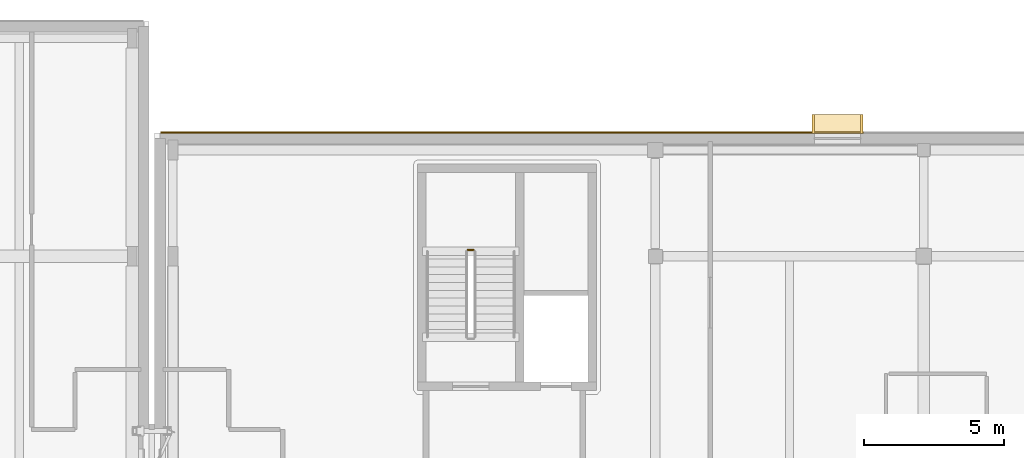
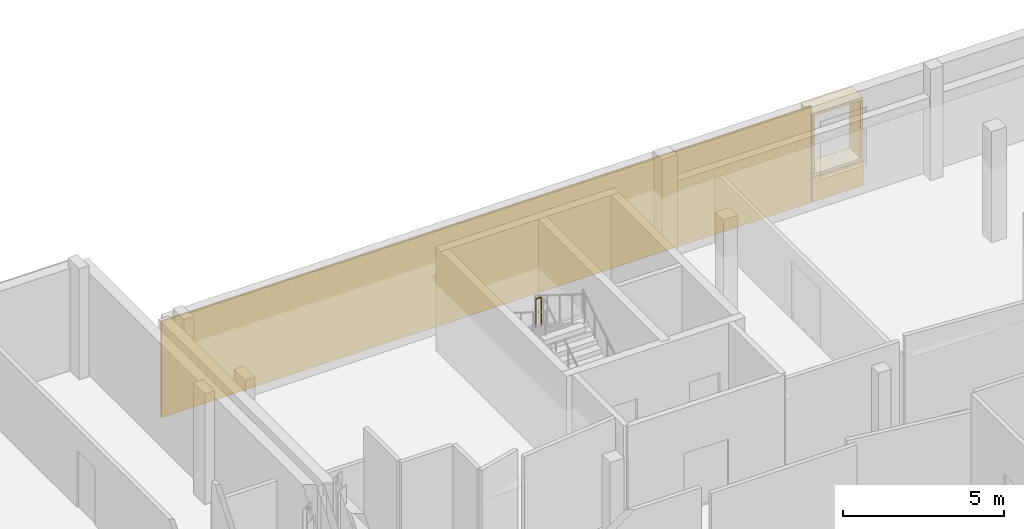
# One storey, part 68 of 73: 6 coverings, 1 railing.
"""IFC4 building model written with IfcOpenShell, lengths in metres."""

from ifc_helpers import new_model, si_unit, direction, frame, origin, origin_2d, place, context, subcontext, project, spatial, rectangle, circle, extrude, material, layer, layer_set, type_object, element, save


model = new_model("IFC4")

# Units and contexts
model_context = context("Model", 3, precision=1e-05, world=origin(), true_north=direction((0.0, 1.0)))
body_context = subcontext(model_context, "Body", "Model", "MODEL_VIEW")
ifc_project = project(units=[si_unit("LENGTHUNIT", "METRE"), si_unit("AREAUNIT", "SQUARE_METRE"), si_unit("VOLUMEUNIT", "CUBIC_METRE"), si_unit("PLANEANGLEUNIT", "RADIAN"), si_unit("MASSUNIT", "GRAM", prefix="KILO")], contexts=[model_context])

# Site, building, storey
site_placement = place(None, origin())
site = spatial("IfcSite", under=ifc_project, at=site_placement, CompositionType="ELEMENT")
building_placement = place(site_placement, origin())
building = spatial("IfcBuilding", under=site, at=building_placement, Name="Mzevani Central Library", CompositionType="ELEMENT")
storey_placement = place(building_placement, frame((0.0, 0.0, 9.60009765625)))
storey = spatial("IfcBuildingStorey", under=building, at=storey_placement, Name="L02", CompositionType="ELEMENT", Elevation=9.60009765625)

# Railing
ifc_material_1 = material(Name="Brushed stainless steel rail", Category="steel")
railing_type = type_object("IfcRailingType", Name="Interior Gallery and Stair Guard 1100", PredefinedType="BALUSTRADE", material=ifc_material_1)
railing_placement = place(storey_placement, frame((57.5, 109.830078125, 2.099853515625)))
element("IfcRailing", 1, at=railing_placement, inside=storey, type_object=railing_type, Name="L02 ST-05 stair guard 2", PredefinedType="BALUSTRADE", context=body_context, shape_type="SweptSolid", body=[
    extrude(circle(Radius=0.02392578125, at=origin_2d()), frame((0.0, 0.0, 1.076171875), z_axis=(-1.0, 0.0, 0.0), x_axis=(0.0, -1.0, 0.0)), (0.0, 0.0, 1.0), 0.199951171875),
    extrude(circle(Radius=0.02099609375, at=origin_2d()), origin(), (0.0, 0.0, 1.0), 1.052001953125),
    extrude(circle(Radius=0.02099609375, at=origin_2d()), frame((-0.199951171875, 0.0, 0.0)), (0.0, 0.0, 1.0), 1.052001953125),
])

# Coverings
ifc_material_2 = material(Name="Limestone ashlar cladding", Category="masonry")
ifc_layer = layer(ifc_material_2, 0.050048828125, Name="Limestone Ashlar Spandrel Cladding")
ifc_layer_set = layer_set([ifc_layer], Name="Limestone ashlar cladding")
covering_type = type_object("IfcCoveringType", Name="Limestone Ashlar Spandrel Cladding", PredefinedType="CLADDING", material=ifc_layer_set)
for number, where, z_axis, x_axis, name in (
    (2, (70.518798828125, 114.337890625, 3.25), (0.0, 0.0, 1.0), (1.0, 0.0, 0.0), "L02 Deep Window Reveal HD (REV4-0126)"),
    (3, (70.518798828125, 114.337890625, 0.9599609375), (0.0, 0.0, 1.0), (1.0, 0.0, 0.0), "L02 Deep Window Reveal SL (REV4-0126)"),
):
    element("IfcCovering", number, at=place(storey_placement, frame(where, z_axis=z_axis, x_axis=x_axis)), inside=storey, type_object=covering_type, Name=name, PredefinedType="CLADDING", context=body_context, shape_type="SweptSolid", body=[
        extrude(rectangle(XDim=1.830078125, YDim=0.679931640625, at=origin_2d()), origin(), (0.0, 0.0, 1.0), 0.090087890625),
    ])
for number, where, z_axis, x_axis, name in (
    (4, (69.648681640625, 114.337890625, 1.0498046875), (0.0, 0.0, 1.0), (1.0, 0.0, 0.0), "L02 Deep Window Reveal JL (REV4-0126)"),
    (5, (71.388916015625, 114.337890625, 1.0498046875), (0.0, 0.0, 1.0), (1.0, 0.0, 0.0), "L02 Deep Window Reveal JR (REV4-0126)"),
):
    element("IfcCovering", number, at=place(storey_placement, frame(where, z_axis=z_axis, x_axis=x_axis)), inside=storey, type_object=covering_type, Name=name, PredefinedType="CLADDING", context=body_context, shape_type="SweptSolid", body=[
        extrude(rectangle(XDim=0.090087890625, YDim=0.679931640625, at=origin_2d()), origin(), (0.0, 0.0, 1.0), 2.199951171875),
    ])
covering_1_placement = place(storey_placement, frame((57.94189453125, 114.02392578125, 0.0), z_axis=(0.0, 0.0, 1.0), x_axis=(1.0, 0.0, 0.0)))
element("IfcCovering", 6, at=covering_1_placement, inside=storey, type_object=covering_type, Name="L02 Warm-White Facade Pier 1 (EW4-V3-L02-0054)", PredefinedType="CLADDING", context=body_context, shape_type="SweptSolid", body=[
    extrude(rectangle(XDim=23.263916015625, YDim=0.050048828125, at=origin_2d()), origin(), (0.0, 0.0, 1.0), 3.64990234375),
])
covering_2_placement = place(storey_placement, frame((70.518798828125, 114.02392578125, 0.0), z_axis=(0.0, 0.0, 1.0), x_axis=(1.0, 0.0, 0.0)))
element("IfcCovering", 7, at=covering_2_placement, inside=storey, type_object=covering_type, Name="L02 Warm-White Sill Cladding 2 (EW4-V3-L02-0054)", PredefinedType="CLADDING", context=body_context, shape_type="SweptSolid", body=[
    extrude(rectangle(XDim=1.85009765625, YDim=0.050048828125, at=origin_2d()), origin(), (0.0, 0.0, 1.0), 0.949951171875),
])

save(model, "model.ifc")
